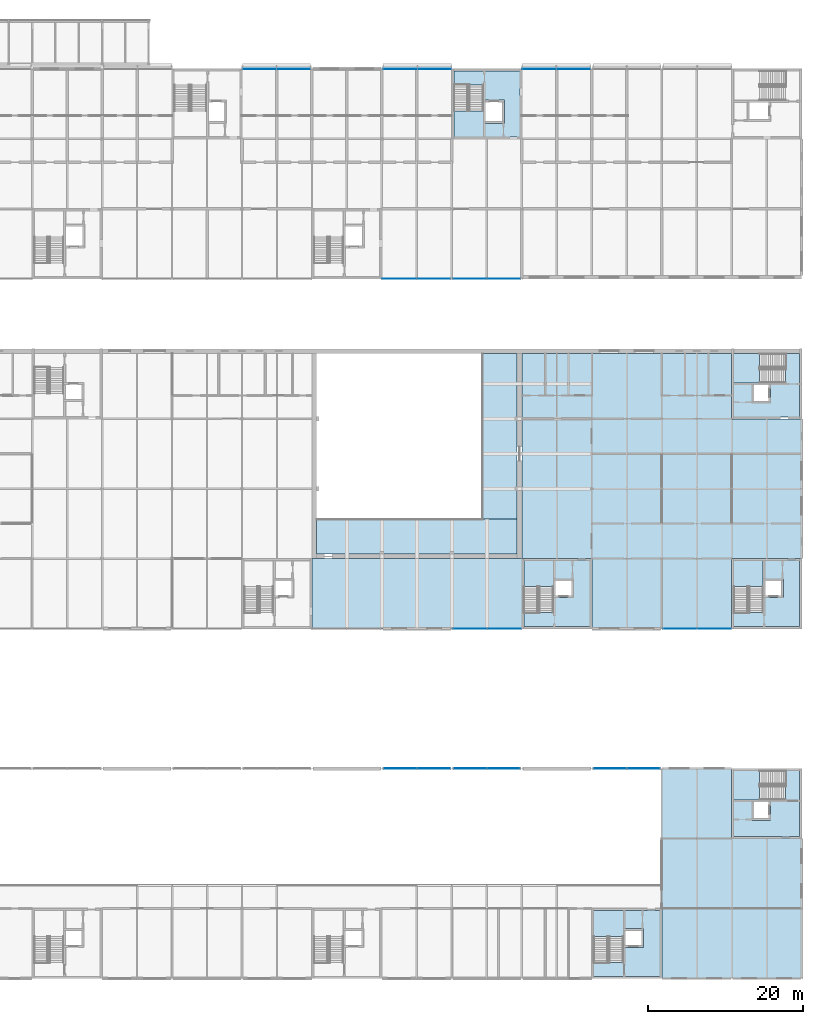
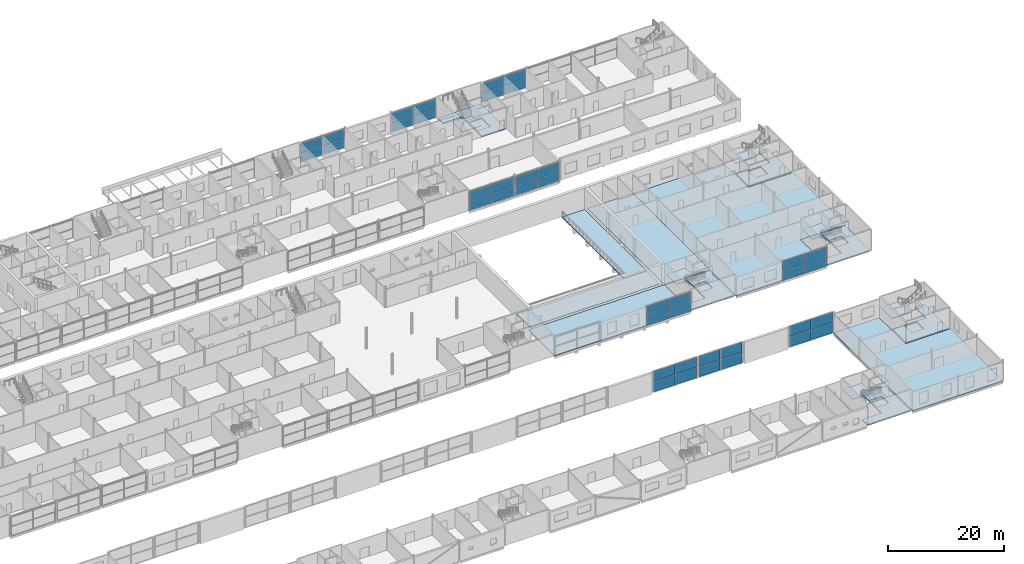
# One storey, part 63 of 97: 40 plates, 18 slabs, 16 elements without a shape of their own.
"""IFC4 building model written with IfcOpenShell, lengths in metres."""

from ifc_helpers import new_model, si_unit, direction, frame, origin, origin_2d, place, context, subcontext, project, spatial, polyline, rectangle, outline, extrude, material, layer, layer_set, type_object, element, aggregate, save


model = new_model("IFC4")

# Units and contexts
model_context = context("Model", 3, precision=1e-05, world=origin(), true_north=direction((0.0, 1.0)))
body_context = subcontext(model_context, "Body", "Model", "MODEL_VIEW")
ifc_project = project(units=[si_unit("LENGTHUNIT", "METRE"), si_unit("AREAUNIT", "SQUARE_METRE"), si_unit("VOLUMEUNIT", "CUBIC_METRE"), si_unit("PLANEANGLEUNIT", "RADIAN"), si_unit("MASSUNIT", "GRAM", prefix="KILO")], contexts=[model_context])

# Site, building, storey
site_placement = place(None, origin())
site = spatial("IfcSite", under=ifc_project, at=site_placement, CompositionType="ELEMENT")
building_placement = place(site_placement, origin())
building = spatial("IfcBuilding", under=site, at=building_placement, Name="Corbel Yard City Hall", CompositionType="ELEMENT")
storey_placement = place(building_placement, frame((0.0, 0.0, 6.0)))
storey = spatial("IfcBuildingStorey", under=building, at=storey_placement, Name="L01", CompositionType="ELEMENT", Elevation=6.0)

# Slabs
ifc_material_1 = material(Name="Concrete N40 (40 MPa)", Category="concrete")
ifc_layer_1 = layer(ifc_material_1, 0.25)
ifc_layer_set_1 = layer_set([ifc_layer_1], Name="Concrete N40 (40 MPa)")
slab_type_1 = type_object("IfcSlabType", Name="CF1", PredefinedType="FLOOR", material=ifc_layer_set_1)
slab_1_placement = place(storey_placement, frame((0.0, 0.0, -0.25)))
element("IfcSlab", 1, at=slab_1_placement, inside=storey, type_object=slab_type_1, Name="Core floor slab", PredefinedType="FLOOR", context=body_context, shape_type="SweptSolid", body=[
    extrude(outline(polyline([(161.75, 8.75), (157.050048828125, 8.75), (157.050048828125, 2.051025390625), (153.25, 2.051025390625), (153.25, 0.25), (161.75, 0.25), (161.75, 8.75)]), holes=[polyline([(159.64990234375, 4.0), (159.64990234375, 6.39990234375), (157.300048828125, 6.39990234375), (157.300048828125, 4.0), (159.64990234375, 4.0)])]), origin(), (0.0, 0.0, 1.0), 0.25),
])
slab_2_placement = place(storey_placement, frame((0.0, 0.0, -0.25)))
element("IfcSlab", 2, at=slab_2_placement, inside=storey, type_object=slab_type_1, Name="Core floor slab", PredefinedType="FLOOR", context=body_context, shape_type="SweptSolid", body=[
    extrude(outline(polyline([(179.75, 26.75), (177.948974609375, 26.75), (177.948974609375, 22.949951171875), (171.25, 22.949951171875), (171.25, 18.25), (179.75, 18.25), (179.75, 26.75)]), holes=[polyline([(176.0, 20.35009765625), (176.0, 22.699951171875), (173.60009765625, 22.699951171875), (173.60009765625, 20.35009765625), (176.0, 20.35009765625)])]), origin(), (0.0, 0.0, 1.0), 0.25),
])
slab_3_placement = place(storey_placement, frame((0.0, 0.0, -0.25)))
element("IfcSlab", 3, at=slab_3_placement, inside=storey, type_object=slab_type_1, Name="Core floor slab", PredefinedType="FLOOR", context=body_context, shape_type="SweptSolid", body=[
    extrude(outline(polyline([(152.75, 53.75), (148.050048828125, 53.75), (148.050048828125, 47.051025390625), (144.25, 47.051025390625), (144.25, 45.25), (152.75, 45.25), (152.75, 53.75)]), holes=[polyline([(150.64990234375, 49.0), (150.64990234375, 51.39990234375), (148.300048828125, 51.39990234375), (148.300048828125, 49.0), (150.64990234375, 49.0)])]), origin(), (0.0, 0.0, 1.0), 0.25),
])
slab_4_placement = place(storey_placement, frame((0.0, 0.0, -0.25)))
element("IfcSlab", 4, at=slab_4_placement, inside=storey, type_object=slab_type_1, Name="Core floor slab", PredefinedType="FLOOR", context=body_context, shape_type="SweptSolid", body=[
    extrude(outline(polyline([(179.75, 53.75), (175.050048828125, 53.75), (175.050048828125, 47.051025390625), (171.25, 47.051025390625), (171.25, 45.25), (179.75, 45.25), (179.75, 53.75)]), holes=[polyline([(177.64990234375, 49.0), (177.64990234375, 51.39990234375), (175.300048828125, 51.39990234375), (175.300048828125, 49.0), (177.64990234375, 49.0)])]), origin(), (0.0, 0.0, 1.0), 0.25),
])
slab_5_placement = place(storey_placement, frame((0.0, 0.0, -0.25)))
element("IfcSlab", 5, at=slab_5_placement, inside=storey, type_object=slab_type_1, Name="Core floor slab", PredefinedType="FLOOR", context=body_context, shape_type="SweptSolid", body=[
    extrude(outline(polyline([(179.75, 80.39990234375), (177.948974609375, 80.39990234375), (177.948974609375, 76.60009765625), (171.25, 76.60009765625), (171.25, 72.25), (179.75, 72.25), (179.75, 80.39990234375)]), holes=[polyline([(176.0, 74.0), (176.0, 76.35009765625), (173.60009765625, 76.35009765625), (173.60009765625, 74.0), (176.0, 74.0)])]), origin(), (0.0, 0.0, 1.0), 0.25),
])
slab_6_placement = place(storey_placement, frame((0.0, 0.0, -0.25)))
element("IfcSlab", 6, at=slab_6_placement, inside=storey, type_object=slab_type_1, Name="Core floor slab", PredefinedType="FLOOR", context=body_context, shape_type="SweptSolid", body=[
    extrude(outline(polyline([(135.25, 116.75), (135.25, 114.948974609375), (139.050048828125, 114.948974609375), (139.050048828125, 108.25), (143.75, 108.25), (143.75, 116.75), (135.25, 116.75)]), holes=[polyline([(141.75, 110.0), (141.75, 113.0), (139.300048828125, 113.0), (139.300048828125, 110.0), (141.75, 110.0)])]), origin(), (0.0, 0.0, 1.0), 0.25),
])
ifc_layer_2 = layer(ifc_material_1, 0.14990234375)
ifc_layer_set_2 = layer_set([ifc_layer_2], Name="Concrete N40 (40 MPa)")
slab_type_2 = type_object("IfcSlabType", Name="Floor slab 150", PredefinedType="FLOOR", material=ifc_layer_set_2)
slab_7_placement = place(storey_placement, frame((0.0, 0.0, -0.14990234375)))
element("IfcSlab", 7, at=slab_7_placement, inside=storey, type_object=slab_type_2, Name="Floor slab East Entrance and Service", PredefinedType="FLOOR", context=body_context, shape_type="SweptSolid", body=[
    extrude(outline(polyline([(171.0, 27.0), (162.0, 27.0), (162.0, 0.0), (180.0, 0.0), (180.0, 18.0), (171.0, 18.0), (171.0, 27.0)])), origin(), (0.0, 0.0, 1.0), 0.14990234375),
])
slab_8_placement = place(storey_placement, frame((0.0, 0.0, -0.14990234375)))
element("IfcSlab", 8, at=slab_8_placement, inside=storey, type_object=slab_type_2, Name="Floor slab Council Chamber block", PredefinedType="FLOOR", context=body_context, shape_type="SweptSolid", body=[
    extrude(outline(polyline([(144.0, 45.0), (144.0, 54.0), (117.0, 54.0), (117.0, 45.0), (144.0, 45.0)])), origin(), (0.0, 0.0, 1.0), 0.14990234375),
])
slab_9_placement = place(storey_placement, frame((0.0, 0.0, -0.14990234375)))
element("IfcSlab", 9, at=slab_9_placement, inside=storey, type_object=slab_type_2, Name="Floor slab Council Chamber block", PredefinedType="FLOOR", context=body_context, shape_type="SweptSolid", body=[
    extrude(outline(polyline([(153.0, 80.39990234375), (144.0, 80.39990234375), (144.0, 54.0), (153.0, 54.0), (153.0, 80.39990234375)])), origin(), (0.0, 0.0, 1.0), 0.14990234375),
])
slab_10_placement = place(storey_placement, frame((0.0, 0.0, -0.14990234375)))
element("IfcSlab", 10, at=slab_10_placement, inside=storey, type_object=slab_type_2, Name="Floor slab Members' wing", PredefinedType="FLOOR", context=body_context, shape_type="SweptSolid", body=[
    extrude(outline(polyline([(180.0, 54.0), (180.0, 72.0), (171.0, 72.0), (171.0, 80.39990234375), (153.0, 80.39990234375), (153.0, 45.0), (171.0, 45.0), (171.0, 54.0), (180.0, 54.0)])), origin(), (0.0, 0.0, 1.0), 0.14990234375),
])
slab_11_placement = place(storey_placement, frame((0.0, 0.0, -0.14990234375)))
element("IfcSlab", 11, at=slab_11_placement, inside=storey, type_object=slab_type_2, Name="Council Chamber public gallery deck", PredefinedType="FLOOR", context=body_context, shape_type="SweptSolid", body=[
    extrude(outline(polyline([(143.39990234375, 54.60009765625), (143.39990234375, 59.10009765625), (117.60009765625, 59.10009765625), (117.60009765625, 54.60009765625), (143.39990234375, 54.60009765625)])), origin(), (0.0, 0.0, 1.0), 0.14990234375),
])
slab_12_placement = place(storey_placement, frame((0.0, 0.0, -0.14990234375)))
element("IfcSlab", 12, at=slab_12_placement, inside=storey, type_object=slab_type_2, Name="Council Chamber public gallery deck", PredefinedType="FLOOR", context=body_context, shape_type="SweptSolid", body=[
    extrude(outline(polyline([(143.39990234375, 59.10009765625), (143.39990234375, 80.39990234375), (138.89990234375, 80.39990234375), (138.89990234375, 59.10009765625), (143.39990234375, 59.10009765625)])), origin(), (0.0, 0.0, 1.0), 0.14990234375),
])

# Stair, slab
stair_type = type_object("IfcStairType", Name="ST1", PredefinedType="HALF_TURN_STAIR", material=ifc_material_1)
stair_1_placement = place(storey_placement, origin())
stair_1 = element("IfcStair", 13, at=stair_1_placement, inside=storey, type_object=stair_type, Name="Exit stair L01", PredefinedType="HALF_TURN_STAIR")
ifc_layer_3 = layer(ifc_material_1, 0.199951171875)
ifc_layer_set_3 = layer_set([ifc_layer_3], Name="Concrete N40 (40 MPa)")
slab_type_3 = type_object("IfcSlabType", Name="LN1", PredefinedType="LANDING", material=ifc_layer_set_3)
slab_13_placement = place(storey_placement, frame((0.0, 0.0, 2.050048828125)))
slab_13 = element("IfcSlab", 14, at=slab_13_placement, type_object=slab_type_3, Name="PS5 landing 1", PredefinedType="LANDING", context=body_context, shape_type="SweptSolid", body=[
    extrude(outline(polyline([(153.25, 5.409912109375), (157.050048828125, 5.409912109375), (157.050048828125, 8.75), (153.25, 8.75), (153.25, 5.409912109375)])), origin(), (0.0, 0.0, 1.0), 0.199951171875),
])
aggregate(stair_1, [slab_13])

stair_2_placement = place(storey_placement, origin())
stair_2 = element("IfcStair", 15, at=stair_2_placement, inside=storey, type_object=stair_type, Name="Exit stair L01", PredefinedType="HALF_TURN_STAIR")
slab_14_placement = place(storey_placement, frame((0.0, 0.0, 2.050048828125)))
slab_14 = element("IfcSlab", 16, at=slab_14_placement, type_object=slab_type_3, Name="PS7 landing 1", PredefinedType="LANDING", context=body_context, shape_type="SweptSolid", body=[
    extrude(outline(polyline([(171.25, 22.949951171875), (174.590087890625, 22.949951171875), (174.590087890625, 26.75), (171.25, 26.75), (171.25, 22.949951171875)])), origin(), (0.0, 0.0, 1.0), 0.199951171875),
])
aggregate(stair_2, [slab_14])

stair_3_placement = place(storey_placement, origin())
stair_3 = element("IfcStair", 17, at=stair_3_placement, inside=storey, type_object=stair_type, Name="Exit stair L01", PredefinedType="HALF_TURN_STAIR")
slab_15_placement = place(storey_placement, frame((0.0, 0.0, 2.050048828125)))
slab_15 = element("IfcSlab", 18, at=slab_15_placement, type_object=slab_type_3, Name="PS11 landing 1", PredefinedType="LANDING", context=body_context, shape_type="SweptSolid", body=[
    extrude(outline(polyline([(144.25, 50.409912109375), (148.050048828125, 50.409912109375), (148.050048828125, 53.75), (144.25, 53.75), (144.25, 50.409912109375)])), origin(), (0.0, 0.0, 1.0), 0.199951171875),
])
aggregate(stair_3, [slab_15])

stair_4_placement = place(storey_placement, origin())
stair_4 = element("IfcStair", 19, at=stair_4_placement, inside=storey, type_object=stair_type, Name="Exit stair L01", PredefinedType="HALF_TURN_STAIR")
slab_16_placement = place(storey_placement, frame((0.0, 0.0, 2.050048828125)))
slab_16 = element("IfcSlab", 20, at=slab_16_placement, type_object=slab_type_3, Name="PS12 landing 1", PredefinedType="LANDING", context=body_context, shape_type="SweptSolid", body=[
    extrude(outline(polyline([(171.25, 50.409912109375), (175.050048828125, 50.409912109375), (175.050048828125, 53.75), (171.25, 53.75), (171.25, 50.409912109375)])), origin(), (0.0, 0.0, 1.0), 0.199951171875),
])
aggregate(stair_4, [slab_16])

stair_5_placement = place(storey_placement, origin())
stair_5 = element("IfcStair", 21, at=stair_5_placement, inside=storey, type_object=stair_type, Name="Exit stair L01", PredefinedType="HALF_TURN_STAIR")
slab_17_placement = place(storey_placement, frame((0.0, 0.0, 2.050048828125)))
slab_17 = element("IfcSlab", 22, at=slab_17_placement, type_object=slab_type_3, Name="PS15 landing 1", PredefinedType="LANDING", context=body_context, shape_type="SweptSolid", body=[
    extrude(outline(polyline([(171.25, 76.60009765625), (174.590087890625, 76.60009765625), (174.590087890625, 80.39990234375), (171.25, 80.39990234375), (171.25, 76.60009765625)])), origin(), (0.0, 0.0, 1.0), 0.199951171875),
])
aggregate(stair_5, [slab_17])

stair_6_placement = place(storey_placement, origin())
stair_6 = element("IfcStair", 23, at=stair_6_placement, inside=storey, type_object=stair_type, Name="Exit stair L01", PredefinedType="HALF_TURN_STAIR")
slab_18_placement = place(storey_placement, frame((0.0, 0.0, 2.050048828125)))
slab_18 = element("IfcSlab", 24, at=slab_18_placement, type_object=slab_type_3, Name="PS18 landing 1", PredefinedType="LANDING", context=body_context, shape_type="SweptSolid", body=[
    extrude(outline(polyline([(135.25, 108.25), (139.050048828125, 108.25), (139.050048828125, 111.590087890625), (135.25, 111.590087890625), (135.25, 108.25)])), origin(), (0.0, 0.0, 1.0), 0.199951171875),
])
aggregate(stair_6, [slab_18])

# Curtain wall, plates
ifc_material_2 = material(Name="Aluminium extrusion", Category="aluminium")
ifc_layer_4 = layer(ifc_material_2, 0.199951171875)
ifc_layer_set_4 = layer_set([ifc_layer_4], Name="Aluminium extrusion")
curtain_wall_type_1 = type_object("IfcCurtainWallType", Name="CW1", PredefinedType="USERDEFINED", material=ifc_layer_set_4)
curtain_wall_1_placement = place(storey_placement, origin())
curtain_wall_1 = element("IfcCurtainWall", 25, at=curtain_wall_1_placement, inside=storey, type_object=curtain_wall_type_1, Name="Curtain wall CW1 L01", ObjectType="CURTAIN WALL", PredefinedType="USERDEFINED")
ifc_material_3 = material(Name="Laminated glass", Category="glass")
ifc_layer_5 = layer(ifc_material_3, 0.035888671875)
ifc_layer_set_5 = layer_set([ifc_layer_5], Name="Laminated glass")
plate_type_1 = type_object("IfcPlateType", Name="PN1", PredefinedType="CURTAIN_PANEL", material=ifc_layer_set_5)
plate_1_placement = place(storey_placement, frame((164.36376953125, 45.0, 0.06494140625), z_axis=(0.0, 0.0, 1.0), x_axis=(1.0, 0.0, 0.0)))
plate_1 = element("IfcPlate", 26, at=plate_1_placement, type_object=plate_type_1, Name="CW1 panel 1.1", PredefinedType="CURTAIN_PANEL", context=body_context, shape_type="SweptSolid", body=[
    extrude(rectangle(XDim=4.33740234375, YDim=0.035888671875, at=origin_2d()), origin(), (0.0, 0.0, 1.0), 1.89794921875),
])
plate_2_placement = place(storey_placement, frame((164.36376953125, 45.0, 2.028076171875), z_axis=(0.0, 0.0, 1.0), x_axis=(1.0, 0.0, 0.0)))
plate_2 = element("IfcPlate", 27, at=plate_2_placement, type_object=plate_type_1, Name="CW1 panel 1.2", PredefinedType="CURTAIN_PANEL", context=body_context, shape_type="SweptSolid", body=[
    extrude(rectangle(XDim=4.33740234375, YDim=0.035888671875, at=origin_2d()), origin(), (0.0, 0.0, 1.0), 1.89794921875),
])
plate_3_placement = place(storey_placement, frame((168.766357421875, 45.0, 0.06494140625), z_axis=(0.0, 0.0, 1.0), x_axis=(1.0, 0.0, 0.0)))
plate_3 = element("IfcPlate", 28, at=plate_3_placement, type_object=plate_type_1, Name="CW1 panel 2.1", PredefinedType="CURTAIN_PANEL", context=body_context, shape_type="SweptSolid", body=[
    extrude(rectangle(XDim=4.33740234375, YDim=0.035888671875, at=origin_2d()), origin(), (0.0, 0.0, 1.0), 1.89794921875),
])
plate_4_placement = place(storey_placement, frame((168.766357421875, 45.0, 2.028076171875), z_axis=(0.0, 0.0, 1.0), x_axis=(1.0, 0.0, 0.0)))
plate_4 = element("IfcPlate", 29, at=plate_4_placement, type_object=plate_type_1, Name="CW1 panel 2.2", PredefinedType="CURTAIN_PANEL", context=body_context, shape_type="SweptSolid", body=[
    extrude(rectangle(XDim=4.33740234375, YDim=0.035888671875, at=origin_2d()), origin(), (0.0, 0.0, 1.0), 1.89794921875),
])
aggregate(curtain_wall_1, [plate_1, plate_2, plate_3, plate_4])

curtain_wall_2_placement = place(storey_placement, origin())
curtain_wall_2 = element("IfcCurtainWall", 30, at=curtain_wall_2_placement, inside=storey, type_object=curtain_wall_type_1, Name="Curtain wall CW1 L01", ObjectType="CURTAIN WALL", PredefinedType="USERDEFINED")
plate_5_placement = place(storey_placement, frame((128.233642578125, 90.0, 0.06494140625), z_axis=(0.0, 0.0, 1.0), x_axis=(1.0, 0.0, 0.0)))
plate_5 = element("IfcPlate", 31, at=plate_5_placement, type_object=plate_type_1, Name="CW1 panel 1.1", PredefinedType="CURTAIN_PANEL", context=body_context, shape_type="SweptSolid", body=[
    extrude(rectangle(XDim=4.33740234375, YDim=0.035888671875, at=origin_2d()), origin(), (0.0, 0.0, 1.0), 1.89794921875),
])
plate_6_placement = place(storey_placement, frame((128.233642578125, 90.0, 2.028076171875), z_axis=(0.0, 0.0, 1.0), x_axis=(1.0, 0.0, 0.0)))
plate_6 = element("IfcPlate", 32, at=plate_6_placement, type_object=plate_type_1, Name="CW1 panel 1.2", PredefinedType="CURTAIN_PANEL", context=body_context, shape_type="SweptSolid", body=[
    extrude(rectangle(XDim=4.33740234375, YDim=0.035888671875, at=origin_2d()), origin(), (0.0, 0.0, 1.0), 1.89794921875),
])
plate_7_placement = place(storey_placement, frame((132.63623046875, 90.0, 0.06494140625), z_axis=(0.0, 0.0, 1.0), x_axis=(1.0, 0.0, 0.0)))
plate_7 = element("IfcPlate", 33, at=plate_7_placement, type_object=plate_type_1, Name="CW1 panel 2.1", PredefinedType="CURTAIN_PANEL", context=body_context, shape_type="SweptSolid", body=[
    extrude(rectangle(XDim=4.33740234375, YDim=0.035888671875, at=origin_2d()), origin(), (0.0, 0.0, 1.0), 1.89794921875),
])
plate_8_placement = place(storey_placement, frame((132.63623046875, 90.0, 2.028076171875), z_axis=(0.0, 0.0, 1.0), x_axis=(1.0, 0.0, 0.0)))
plate_8 = element("IfcPlate", 34, at=plate_8_placement, type_object=plate_type_1, Name="CW1 panel 2.2", PredefinedType="CURTAIN_PANEL", context=body_context, shape_type="SweptSolid", body=[
    extrude(rectangle(XDim=4.33740234375, YDim=0.035888671875, at=origin_2d()), origin(), (0.0, 0.0, 1.0), 1.89794921875),
])
aggregate(curtain_wall_2, [plate_5, plate_6, plate_7, plate_8])

curtain_wall_3_placement = place(storey_placement, origin())
curtain_wall_3 = element("IfcCurtainWall", 35, at=curtain_wall_3_placement, inside=storey, type_object=curtain_wall_type_1, Name="Curtain wall CW1 L01", ObjectType="CURTAIN WALL", PredefinedType="USERDEFINED")
plate_9_placement = place(storey_placement, frame((137.331298828125, 90.0, 0.06494140625), z_axis=(0.0, 0.0, 1.0), x_axis=(1.0, 0.0, 0.0)))
plate_9 = element("IfcPlate", 36, at=plate_9_placement, type_object=plate_type_1, Name="CW1 panel 1.1", PredefinedType="CURTAIN_PANEL", context=body_context, shape_type="SweptSolid", body=[
    extrude(rectangle(XDim=4.2724609375, YDim=0.035888671875, at=origin_2d()), origin(), (0.0, 0.0, 1.0), 1.89794921875),
])
plate_10_placement = place(storey_placement, frame((137.331298828125, 90.0, 2.028076171875), z_axis=(0.0, 0.0, 1.0), x_axis=(1.0, 0.0, 0.0)))
plate_10 = element("IfcPlate", 37, at=plate_10_placement, type_object=plate_type_1, Name="CW1 panel 1.2", PredefinedType="CURTAIN_PANEL", context=body_context, shape_type="SweptSolid", body=[
    extrude(rectangle(XDim=4.2724609375, YDim=0.035888671875, at=origin_2d()), origin(), (0.0, 0.0, 1.0), 1.89794921875),
])
plate_11_placement = place(storey_placement, frame((141.668701171875, 90.0, 0.06494140625), z_axis=(0.0, 0.0, 1.0), x_axis=(1.0, 0.0, 0.0)))
plate_11 = element("IfcPlate", 38, at=plate_11_placement, type_object=plate_type_1, Name="CW1 panel 2.1", PredefinedType="CURTAIN_PANEL", context=body_context, shape_type="SweptSolid", body=[
    extrude(rectangle(XDim=4.2724609375, YDim=0.035888671875, at=origin_2d()), origin(), (0.0, 0.0, 1.0), 1.89794921875),
])
plate_12_placement = place(storey_placement, frame((141.668701171875, 90.0, 2.028076171875), z_axis=(0.0, 0.0, 1.0), x_axis=(1.0, 0.0, 0.0)))
plate_12 = element("IfcPlate", 39, at=plate_12_placement, type_object=plate_type_1, Name="CW1 panel 2.2", PredefinedType="CURTAIN_PANEL", context=body_context, shape_type="SweptSolid", body=[
    extrude(rectangle(XDim=4.2724609375, YDim=0.035888671875, at=origin_2d()), origin(), (0.0, 0.0, 1.0), 1.89794921875),
])
aggregate(curtain_wall_3, [plate_9, plate_10, plate_11, plate_12])

curtain_wall_4_placement = place(storey_placement, origin())
curtain_wall_4 = element("IfcCurtainWall", 40, at=curtain_wall_4_placement, inside=storey, type_object=curtain_wall_type_1, Name="Curtain wall CW1 L01", ObjectType="CURTAIN WALL", PredefinedType="USERDEFINED")
plate_13_placement = place(storey_placement, frame((110.233642578125, 117.0, 0.06494140625), z_axis=(0.0, 0.0, 1.0), x_axis=(1.0, 0.0, 0.0)))
plate_13 = element("IfcPlate", 41, at=plate_13_placement, type_object=plate_type_1, Name="CW1 panel 1.1", PredefinedType="CURTAIN_PANEL", context=body_context, shape_type="SweptSolid", body=[
    extrude(rectangle(XDim=4.33740234375, YDim=0.035888671875, at=origin_2d()), origin(), (0.0, 0.0, 1.0), 1.89794921875),
])
plate_14_placement = place(storey_placement, frame((110.233642578125, 117.0, 2.028076171875), z_axis=(0.0, 0.0, 1.0), x_axis=(1.0, 0.0, 0.0)))
plate_14 = element("IfcPlate", 42, at=plate_14_placement, type_object=plate_type_1, Name="CW1 panel 1.2", PredefinedType="CURTAIN_PANEL", context=body_context, shape_type="SweptSolid", body=[
    extrude(rectangle(XDim=4.33740234375, YDim=0.035888671875, at=origin_2d()), origin(), (0.0, 0.0, 1.0), 1.89794921875),
])
plate_15_placement = place(storey_placement, frame((114.63623046875, 117.0, 0.06494140625), z_axis=(0.0, 0.0, 1.0), x_axis=(1.0, 0.0, 0.0)))
plate_15 = element("IfcPlate", 43, at=plate_15_placement, type_object=plate_type_1, Name="CW1 panel 2.1", PredefinedType="CURTAIN_PANEL", context=body_context, shape_type="SweptSolid", body=[
    extrude(rectangle(XDim=4.33740234375, YDim=0.035888671875, at=origin_2d()), origin(), (0.0, 0.0, 1.0), 1.89794921875),
])
plate_16_placement = place(storey_placement, frame((114.63623046875, 117.0, 2.028076171875), z_axis=(0.0, 0.0, 1.0), x_axis=(1.0, 0.0, 0.0)))
plate_16 = element("IfcPlate", 44, at=plate_16_placement, type_object=plate_type_1, Name="CW1 panel 2.2", PredefinedType="CURTAIN_PANEL", context=body_context, shape_type="SweptSolid", body=[
    extrude(rectangle(XDim=4.33740234375, YDim=0.035888671875, at=origin_2d()), origin(), (0.0, 0.0, 1.0), 1.89794921875),
])
aggregate(curtain_wall_4, [plate_13, plate_14, plate_15, plate_16])

curtain_wall_5_placement = place(storey_placement, origin())
curtain_wall_5 = element("IfcCurtainWall", 45, at=curtain_wall_5_placement, inside=storey, type_object=curtain_wall_type_1, Name="Curtain wall CW1 L01", ObjectType="CURTAIN WALL", PredefinedType="USERDEFINED")
plate_17_placement = place(storey_placement, frame((128.36376953125, 117.0, 0.06494140625), z_axis=(0.0, 0.0, 1.0), x_axis=(1.0, 0.0, 0.0)))
plate_17 = element("IfcPlate", 46, at=plate_17_placement, type_object=plate_type_1, Name="CW1 panel 1.1", PredefinedType="CURTAIN_PANEL", context=body_context, shape_type="SweptSolid", body=[
    extrude(rectangle(XDim=4.33740234375, YDim=0.035888671875, at=origin_2d()), origin(), (0.0, 0.0, 1.0), 1.89794921875),
])
plate_18_placement = place(storey_placement, frame((128.36376953125, 117.0, 2.028076171875), z_axis=(0.0, 0.0, 1.0), x_axis=(1.0, 0.0, 0.0)))
plate_18 = element("IfcPlate", 47, at=plate_18_placement, type_object=plate_type_1, Name="CW1 panel 1.2", PredefinedType="CURTAIN_PANEL", context=body_context, shape_type="SweptSolid", body=[
    extrude(rectangle(XDim=4.33740234375, YDim=0.035888671875, at=origin_2d()), origin(), (0.0, 0.0, 1.0), 1.89794921875),
])
plate_19_placement = place(storey_placement, frame((132.766357421875, 117.0, 0.06494140625), z_axis=(0.0, 0.0, 1.0), x_axis=(1.0, 0.0, 0.0)))
plate_19 = element("IfcPlate", 48, at=plate_19_placement, type_object=plate_type_1, Name="CW1 panel 2.1", PredefinedType="CURTAIN_PANEL", context=body_context, shape_type="SweptSolid", body=[
    extrude(rectangle(XDim=4.33740234375, YDim=0.035888671875, at=origin_2d()), origin(), (0.0, 0.0, 1.0), 1.89794921875),
])
plate_20_placement = place(storey_placement, frame((132.766357421875, 117.0, 2.028076171875), z_axis=(0.0, 0.0, 1.0), x_axis=(1.0, 0.0, 0.0)))
plate_20 = element("IfcPlate", 49, at=plate_20_placement, type_object=plate_type_1, Name="CW1 panel 2.2", PredefinedType="CURTAIN_PANEL", context=body_context, shape_type="SweptSolid", body=[
    extrude(rectangle(XDim=4.33740234375, YDim=0.035888671875, at=origin_2d()), origin(), (0.0, 0.0, 1.0), 1.89794921875),
])
aggregate(curtain_wall_5, [plate_17, plate_18, plate_19, plate_20])

curtain_wall_6_placement = place(storey_placement, origin())
curtain_wall_6 = element("IfcCurtainWall", 50, at=curtain_wall_6_placement, inside=storey, type_object=curtain_wall_type_1, Name="Curtain wall CW1 L01", ObjectType="CURTAIN WALL", PredefinedType="USERDEFINED")
plate_21_placement = place(storey_placement, frame((146.233642578125, 117.0, 0.06494140625), z_axis=(0.0, 0.0, 1.0), x_axis=(1.0, 0.0, 0.0)))
plate_21 = element("IfcPlate", 51, at=plate_21_placement, type_object=plate_type_1, Name="CW1 panel 1.1", PredefinedType="CURTAIN_PANEL", context=body_context, shape_type="SweptSolid", body=[
    extrude(rectangle(XDim=4.33740234375, YDim=0.035888671875, at=origin_2d()), origin(), (0.0, 0.0, 1.0), 1.89794921875),
])
plate_22_placement = place(storey_placement, frame((146.233642578125, 117.0, 2.028076171875), z_axis=(0.0, 0.0, 1.0), x_axis=(1.0, 0.0, 0.0)))
plate_22 = element("IfcPlate", 52, at=plate_22_placement, type_object=plate_type_1, Name="CW1 panel 1.2", PredefinedType="CURTAIN_PANEL", context=body_context, shape_type="SweptSolid", body=[
    extrude(rectangle(XDim=4.33740234375, YDim=0.035888671875, at=origin_2d()), origin(), (0.0, 0.0, 1.0), 1.89794921875),
])
plate_23_placement = place(storey_placement, frame((150.63623046875, 117.0, 0.06494140625), z_axis=(0.0, 0.0, 1.0), x_axis=(1.0, 0.0, 0.0)))
plate_23 = element("IfcPlate", 53, at=plate_23_placement, type_object=plate_type_1, Name="CW1 panel 2.1", PredefinedType="CURTAIN_PANEL", context=body_context, shape_type="SweptSolid", body=[
    extrude(rectangle(XDim=4.33740234375, YDim=0.035888671875, at=origin_2d()), origin(), (0.0, 0.0, 1.0), 1.89794921875),
])
plate_24_placement = place(storey_placement, frame((150.63623046875, 117.0, 2.028076171875), z_axis=(0.0, 0.0, 1.0), x_axis=(1.0, 0.0, 0.0)))
plate_24 = element("IfcPlate", 54, at=plate_24_placement, type_object=plate_type_1, Name="CW1 panel 2.2", PredefinedType="CURTAIN_PANEL", context=body_context, shape_type="SweptSolid", body=[
    extrude(rectangle(XDim=4.33740234375, YDim=0.035888671875, at=origin_2d()), origin(), (0.0, 0.0, 1.0), 1.89794921875),
])
aggregate(curtain_wall_6, [plate_21, plate_22, plate_23, plate_24])

ifc_layer_6 = layer(ifc_material_2, 0.219970703125)
ifc_layer_set_6 = layer_set([ifc_layer_6], Name="Aluminium extrusion")
curtain_wall_type_2 = type_object("IfcCurtainWallType", Name="CW5", PredefinedType="USERDEFINED", material=ifc_layer_set_6)
curtain_wall_7_placement = place(storey_placement, origin())
curtain_wall_7 = element("IfcCurtainWall", 55, at=curtain_wall_7_placement, inside=storey, type_object=curtain_wall_type_2, Name="Curtain wall CW5 L01", ObjectType="CURTAIN WALL", PredefinedType="USERDEFINED")
ifc_material_4 = material(Name="Acoustic laminated glass", Category="glass")
ifc_layer_7 = layer(ifc_material_4, 0.031982421875)
ifc_layer_set_7 = layer_set([ifc_layer_7], Name="Acoustic laminated glass")
plate_type_2 = type_object("IfcPlateType", Name="PN6", PredefinedType="CURTAIN_PANEL", material=ifc_layer_set_7)
plate_25_placement = place(storey_placement, frame((137.36376953125, 45.0, 0.06494140625), z_axis=(0.0, 0.0, 1.0), x_axis=(1.0, 0.0, 0.0)))
plate_25 = element("IfcPlate", 56, at=plate_25_placement, type_object=plate_type_2, Name="CW5 panel 1.1", PredefinedType="CURTAIN_PANEL", context=body_context, shape_type="SweptSolid", body=[
    extrude(rectangle(XDim=4.33740234375, YDim=0.031982421875, at=origin_2d()), origin(), (0.0, 0.0, 1.0), 1.89794921875),
])
plate_26_placement = place(storey_placement, frame((137.36376953125, 45.0, 2.028076171875), z_axis=(0.0, 0.0, 1.0), x_axis=(1.0, 0.0, 0.0)))
plate_26 = element("IfcPlate", 57, at=plate_26_placement, type_object=plate_type_2, Name="CW5 panel 1.2", PredefinedType="CURTAIN_PANEL", context=body_context, shape_type="SweptSolid", body=[
    extrude(rectangle(XDim=4.33740234375, YDim=0.031982421875, at=origin_2d()), origin(), (0.0, 0.0, 1.0), 1.89794921875),
])
plate_27_placement = place(storey_placement, frame((141.766357421875, 45.0, 0.06494140625), z_axis=(0.0, 0.0, 1.0), x_axis=(1.0, 0.0, 0.0)))
plate_27 = element("IfcPlate", 58, at=plate_27_placement, type_object=plate_type_2, Name="CW5 panel 2.1", PredefinedType="CURTAIN_PANEL", context=body_context, shape_type="SweptSolid", body=[
    extrude(rectangle(XDim=4.33740234375, YDim=0.031982421875, at=origin_2d()), origin(), (0.0, 0.0, 1.0), 1.89794921875),
])
plate_28_placement = place(storey_placement, frame((141.766357421875, 45.0, 2.028076171875), z_axis=(0.0, 0.0, 1.0), x_axis=(1.0, 0.0, 0.0)))
plate_28 = element("IfcPlate", 59, at=plate_28_placement, type_object=plate_type_2, Name="CW5 panel 2.2", PredefinedType="CURTAIN_PANEL", context=body_context, shape_type="SweptSolid", body=[
    extrude(rectangle(XDim=4.33740234375, YDim=0.031982421875, at=origin_2d()), origin(), (0.0, 0.0, 1.0), 1.89794921875),
])
aggregate(curtain_wall_7, [plate_25, plate_26, plate_27, plate_28])

ifc_layer_8 = layer(ifc_material_2, 0.300048828125)
ifc_layer_set_8 = layer_set([ifc_layer_8], Name="Aluminium extrusion")
curtain_wall_type_3 = type_object("IfcCurtainWallType", Name="CW7", PredefinedType="USERDEFINED", material=ifc_layer_set_8)
curtain_wall_8_placement = place(storey_placement, origin())
curtain_wall_8 = element("IfcCurtainWall", 60, at=curtain_wall_8_placement, inside=storey, type_object=curtain_wall_type_3, Name="Curtain wall CW7 L01", ObjectType="CURTAIN WALL", PredefinedType="USERDEFINED")
ifc_material_5 = material(Name="Laminated toughened glass, large format", Category="glass")
ifc_layer_9 = layer(ifc_material_5, 0.048095703125)
ifc_layer_set_9 = layer_set([ifc_layer_9], Name="Laminated toughened glass, large format")
plate_type_3 = type_object("IfcPlateType", Name="PN8", PredefinedType="CURTAIN_PANEL", material=ifc_layer_set_9)
plate_29_placement = place(storey_placement, frame((128.3486328125, 27.0, 0.080078125), z_axis=(0.0, 0.0, 1.0), x_axis=(1.0, 0.0, 0.0)))
plate_29 = element("IfcPlate", 61, at=plate_29_placement, type_object=plate_type_3, Name="CW7 panel 1.1", PredefinedType="CURTAIN_PANEL", context=body_context, shape_type="SweptSolid", body=[
    extrude(rectangle(XDim=4.222412109375, YDim=0.048095703125, at=origin_2d()), origin(), (0.0, 0.0, 1.0), 2.1298828125),
])
plate_30_placement = place(storey_placement, frame((128.3486328125, 27.0, 2.2900390625), z_axis=(0.0, 0.0, 1.0), x_axis=(1.0, 0.0, 0.0)))
plate_30 = element("IfcPlate", 62, at=plate_30_placement, type_object=plate_type_3, Name="CW7 panel 1.2", PredefinedType="CURTAIN_PANEL", context=body_context, shape_type="SweptSolid", body=[
    extrude(rectangle(XDim=4.222412109375, YDim=0.048095703125, at=origin_2d()), origin(), (0.0, 0.0, 1.0), 2.1298828125),
])
plate_31_placement = place(storey_placement, frame((132.6513671875, 27.0, 0.080078125), z_axis=(0.0, 0.0, 1.0), x_axis=(1.0, 0.0, 0.0)))
plate_31 = element("IfcPlate", 63, at=plate_31_placement, type_object=plate_type_3, Name="CW7 panel 2.1", PredefinedType="CURTAIN_PANEL", context=body_context, shape_type="SweptSolid", body=[
    extrude(rectangle(XDim=4.222412109375, YDim=0.048095703125, at=origin_2d()), origin(), (0.0, 0.0, 1.0), 2.1298828125),
])
plate_32_placement = place(storey_placement, frame((132.6513671875, 27.0, 2.2900390625), z_axis=(0.0, 0.0, 1.0), x_axis=(1.0, 0.0, 0.0)))
plate_32 = element("IfcPlate", 64, at=plate_32_placement, type_object=plate_type_3, Name="CW7 panel 2.2", PredefinedType="CURTAIN_PANEL", context=body_context, shape_type="SweptSolid", body=[
    extrude(rectangle(XDim=4.222412109375, YDim=0.048095703125, at=origin_2d()), origin(), (0.0, 0.0, 1.0), 2.1298828125),
])
aggregate(curtain_wall_8, [plate_29, plate_30, plate_31, plate_32])

curtain_wall_9_placement = place(storey_placement, origin())
curtain_wall_9 = element("IfcCurtainWall", 65, at=curtain_wall_9_placement, inside=storey, type_object=curtain_wall_type_3, Name="Curtain wall CW7 L01", ObjectType="CURTAIN WALL", PredefinedType="USERDEFINED")
plate_33_placement = place(storey_placement, frame((137.3486328125, 27.0, 0.080078125), z_axis=(0.0, 0.0, 1.0), x_axis=(1.0, 0.0, 0.0)))
plate_33 = element("IfcPlate", 66, at=plate_33_placement, type_object=plate_type_3, Name="CW7 panel 1.1", PredefinedType="CURTAIN_PANEL", context=body_context, shape_type="SweptSolid", body=[
    extrude(rectangle(XDim=4.222412109375, YDim=0.048095703125, at=origin_2d()), origin(), (0.0, 0.0, 1.0), 2.1298828125),
])
plate_34_placement = place(storey_placement, frame((137.3486328125, 27.0, 2.2900390625), z_axis=(0.0, 0.0, 1.0), x_axis=(1.0, 0.0, 0.0)))
plate_34 = element("IfcPlate", 67, at=plate_34_placement, type_object=plate_type_3, Name="CW7 panel 1.2", PredefinedType="CURTAIN_PANEL", context=body_context, shape_type="SweptSolid", body=[
    extrude(rectangle(XDim=4.222412109375, YDim=0.048095703125, at=origin_2d()), origin(), (0.0, 0.0, 1.0), 2.1298828125),
])
plate_35_placement = place(storey_placement, frame((141.6513671875, 27.0, 0.080078125), z_axis=(0.0, 0.0, 1.0), x_axis=(1.0, 0.0, 0.0)))
plate_35 = element("IfcPlate", 68, at=plate_35_placement, type_object=plate_type_3, Name="CW7 panel 2.1", PredefinedType="CURTAIN_PANEL", context=body_context, shape_type="SweptSolid", body=[
    extrude(rectangle(XDim=4.222412109375, YDim=0.048095703125, at=origin_2d()), origin(), (0.0, 0.0, 1.0), 2.1298828125),
])
plate_36_placement = place(storey_placement, frame((141.6513671875, 27.0, 2.2900390625), z_axis=(0.0, 0.0, 1.0), x_axis=(1.0, 0.0, 0.0)))
plate_36 = element("IfcPlate", 69, at=plate_36_placement, type_object=plate_type_3, Name="CW7 panel 2.2", PredefinedType="CURTAIN_PANEL", context=body_context, shape_type="SweptSolid", body=[
    extrude(rectangle(XDim=4.222412109375, YDim=0.048095703125, at=origin_2d()), origin(), (0.0, 0.0, 1.0), 2.1298828125),
])
aggregate(curtain_wall_9, [plate_33, plate_34, plate_35, plate_36])

curtain_wall_10_placement = place(storey_placement, origin())
curtain_wall_10 = element("IfcCurtainWall", 70, at=curtain_wall_10_placement, inside=storey, type_object=curtain_wall_type_3, Name="Curtain wall CW7 L01", ObjectType="CURTAIN WALL", PredefinedType="USERDEFINED")
plate_37_placement = place(storey_placement, frame((155.3486328125, 27.0, 0.080078125), z_axis=(0.0, 0.0, 1.0), x_axis=(1.0, 0.0, 0.0)))
plate_37 = element("IfcPlate", 71, at=plate_37_placement, type_object=plate_type_3, Name="CW7 panel 1.1", PredefinedType="CURTAIN_PANEL", context=body_context, shape_type="SweptSolid", body=[
    extrude(rectangle(XDim=4.222412109375, YDim=0.048095703125, at=origin_2d()), origin(), (0.0, 0.0, 1.0), 2.1298828125),
])
plate_38_placement = place(storey_placement, frame((155.3486328125, 27.0, 2.2900390625), z_axis=(0.0, 0.0, 1.0), x_axis=(1.0, 0.0, 0.0)))
plate_38 = element("IfcPlate", 72, at=plate_38_placement, type_object=plate_type_3, Name="CW7 panel 1.2", PredefinedType="CURTAIN_PANEL", context=body_context, shape_type="SweptSolid", body=[
    extrude(rectangle(XDim=4.222412109375, YDim=0.048095703125, at=origin_2d()), origin(), (0.0, 0.0, 1.0), 2.1298828125),
])
plate_39_placement = place(storey_placement, frame((159.6513671875, 27.0, 0.080078125), z_axis=(0.0, 0.0, 1.0), x_axis=(1.0, 0.0, 0.0)))
plate_39 = element("IfcPlate", 73, at=plate_39_placement, type_object=plate_type_3, Name="CW7 panel 2.1", PredefinedType="CURTAIN_PANEL", context=body_context, shape_type="SweptSolid", body=[
    extrude(rectangle(XDim=4.222412109375, YDim=0.048095703125, at=origin_2d()), origin(), (0.0, 0.0, 1.0), 2.1298828125),
])
plate_40_placement = place(storey_placement, frame((159.6513671875, 27.0, 2.2900390625), z_axis=(0.0, 0.0, 1.0), x_axis=(1.0, 0.0, 0.0)))
plate_40 = element("IfcPlate", 74, at=plate_40_placement, type_object=plate_type_3, Name="CW7 panel 2.2", PredefinedType="CURTAIN_PANEL", context=body_context, shape_type="SweptSolid", body=[
    extrude(rectangle(XDim=4.222412109375, YDim=0.048095703125, at=origin_2d()), origin(), (0.0, 0.0, 1.0), 2.1298828125),
])
aggregate(curtain_wall_10, [plate_37, plate_38, plate_39, plate_40])

save(model, "model.ifc")
